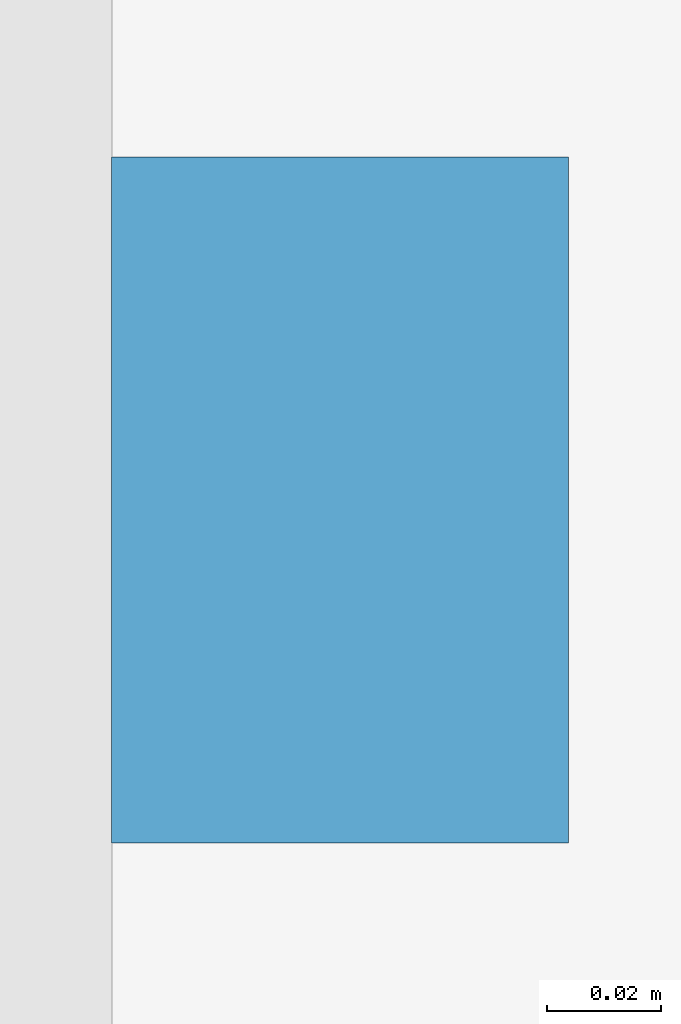
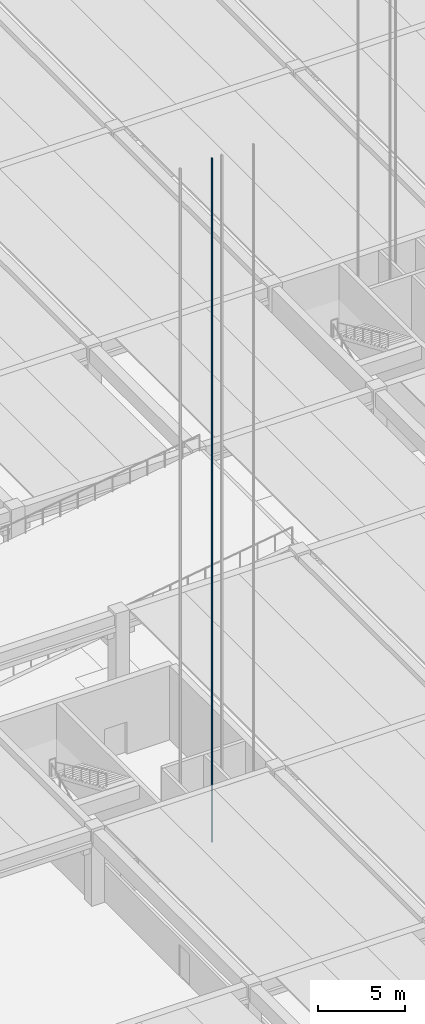
# One storey, part 34 of 59: 1 discrete accessory.
"""IFC4 building model written with IfcOpenShell, lengths in metres."""

from ifc_helpers import new_model, si_unit, direction, frame, origin, origin_2d, place, context, subcontext, project, spatial, rectangle, extrude, material, type_object, element, save


model = new_model("IFC4")

# Units and contexts
model_context = context("Model", 3, precision=1e-05, world=origin(), true_north=direction((0.0, 1.0)))
body_context = subcontext(model_context, "Body", "Model", "MODEL_VIEW")
ifc_project = project(units=[si_unit("LENGTHUNIT", "METRE"), si_unit("AREAUNIT", "SQUARE_METRE"), si_unit("VOLUMEUNIT", "CUBIC_METRE"), si_unit("PLANEANGLEUNIT", "RADIAN"), si_unit("MASSUNIT", "GRAM", prefix="KILO")], contexts=[model_context])

# Site, building, storey
site_placement = place(None, origin())
site = spatial("IfcSite", under=ifc_project, at=site_placement, CompositionType="ELEMENT")
building_placement = place(site_placement, origin())
building = spatial("IfcBuilding", under=site, at=building_placement, Name="Girod Span Mobility Hub", CompositionType="ELEMENT")
storey_placement = place(building_placement, origin())
storey = spatial("IfcBuildingStorey", under=building, at=storey_placement, Name="L00", CompositionType="ELEMENT", Elevation=0.0)

# Discrete accessory
ifc_material = material(Name="Steel A992 Grade 50", Category="steel")
discrete_accessory_type = type_object("IfcDiscreteAccessoryType", Name="ACC-LFT-RAIL", PredefinedType="USERDEFINED", material=ifc_material)
discrete_accessory_placement = place(storey_placement, frame((80.77490234375, 28.699951171875, 0.0), z_axis=(0.0, 0.0, 1.0), x_axis=(1.0, 0.0, 0.0)))
element("IfcDiscreteAccessory", 1, at=discrete_accessory_placement, inside=storey, type_object=discrete_accessory_type, Name="Hoistway Guide Rail LP-5-E", ObjectType="GUIDE RAIL", PredefinedType="USERDEFINED", context=body_context, shape_type="SweptSolid", body=[
    extrude(rectangle(XDim=0.080078125, YDim=0.1201171875, at=origin_2d()), origin(), (0.0, 0.0, 1.0), 47.949951171875),
])

save(model, "model.ifc")
